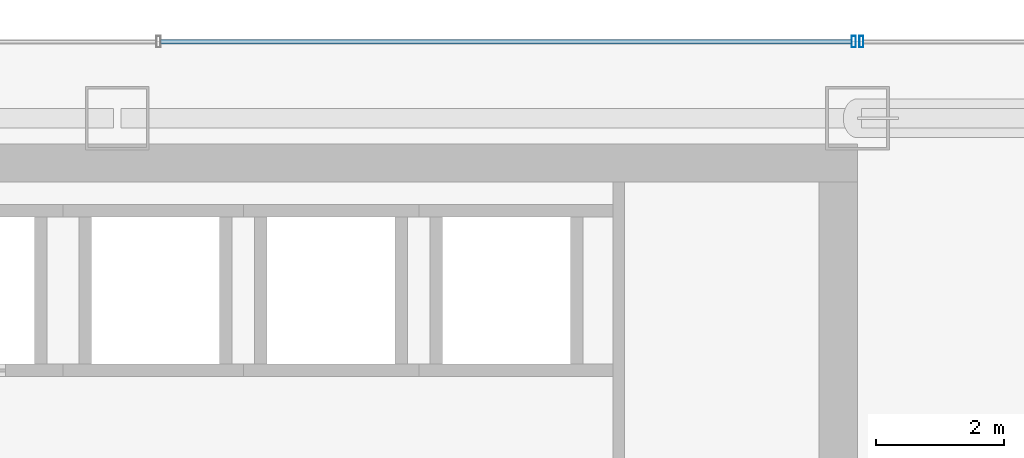
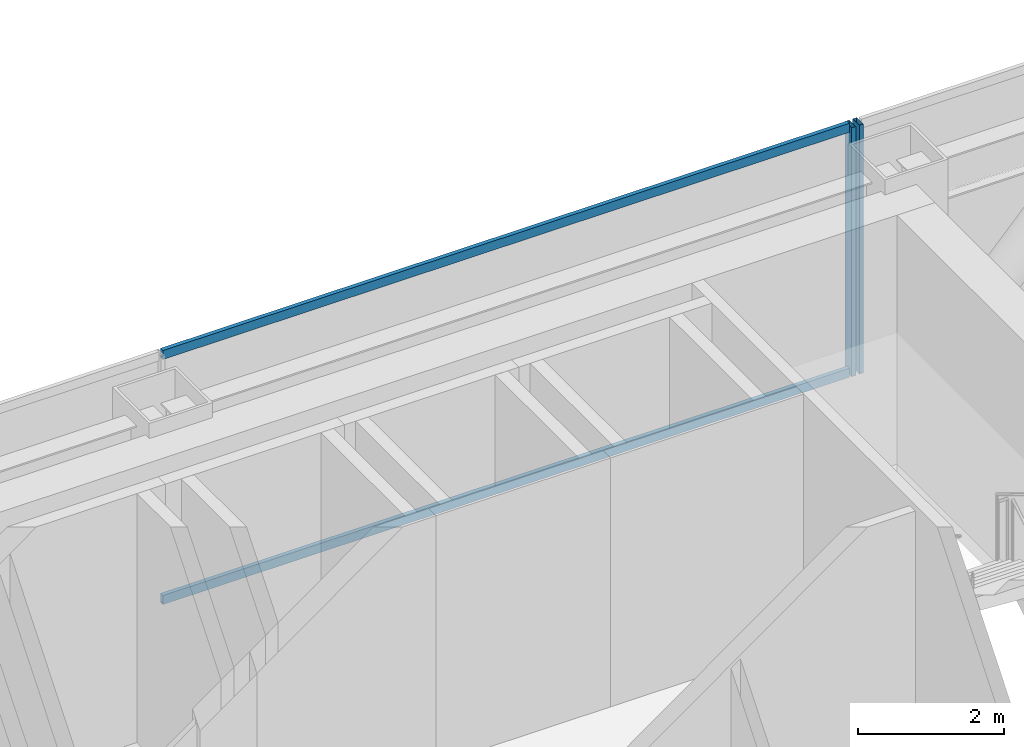
# One storey, part 28 of 37: 4 members, 2 elements without a shape of their own.
"""IFC4 building model written with IfcOpenShell, lengths in metres."""

import ifcopenshell
import ifcopenshell.guid

model = None  # the IFC model being written
_history = None  # IfcOwnerHistory: only IFC2X3 demands one
_inside = {}  # id of a spatial element -> (the spatial element, [elements in it])
_under = {}  # id of a project, library or spatial element -> (it, [spatial elements below it])
_declared = {}  # id of a project -> (the project, [libraries it declares])
_typed = {}  # id of a type object -> (the type object, [elements of that type])
_made_of = {}  # id of a material, layer set ... -> (it, [elements and type objects made of it])


def new_model(schema):
    """Start an empty IFC model of exactly this schema.

    Asked for "IFC4X3", IfcOpenShell would pick the latest addendum, in which some entities
    have other attributes; the version numbers below select the first issue.
    IFC2X3 requires an IfcOwnerHistory on every rooted entity: one is made here for all.
    """
    global model, _history
    if schema == "IFC4X3":
        model = ifcopenshell.file(schema_version=(4, 3, 0, 0))
    else:
        model = ifcopenshell.file(schema=schema)
    _inside.clear()
    _under.clear()
    _declared.clear()
    _typed.clear()
    _made_of.clear()
    _history = None
    if model.schema == "IFC2X3":
        org = make("IfcOrganization", Name="unknown")
        user = make(
            "IfcPersonAndOrganization",
            ThePerson=make("IfcPerson", FamilyName="unknown"),
            TheOrganization=org,
        )
        app = make(
            "IfcApplication",
            ApplicationDeveloper=org,
            Version="unknown",
            ApplicationFullName="unknown",
            ApplicationIdentifier="unknown",
        )
        _history = make(
            "IfcOwnerHistory",
            OwningUser=user,
            OwningApplication=app,
            ChangeAction="ADDED",
            CreationDate=0,
        )
    return model


def make(cls, **values):
    """One entity of the class cls with the attributes given. An attribute that is None is left unset."""
    return model.create_entity(
        cls, **{name: value for name, value in values.items() if value is not None}
    )


def rooted(cls, **values):
    """An entity with a GlobalId (a new one), such as an element, a storey or a relation."""
    return make(cls, GlobalId=ifcopenshell.guid.new(), OwnerHistory=_history, **values)


def si_unit(unit_type, name, prefix=None):
    """IfcSIUnit, for example si_unit("LENGTHUNIT", "METRE", prefix="MILLI")."""
    return make("IfcSIUnit", UnitType=unit_type, Prefix=prefix, Name=name)


def assignment(units):
    """IfcUnitAssignment: the units of a project."""
    return None if units is None else make("IfcUnitAssignment", Units=units)


def point(xyz):
    """IfcCartesianPoint."""
    return None if xyz is None else make("IfcCartesianPoint", Coordinates=xyz)


def direction(xyz):
    """IfcDirection."""
    return None if xyz is None else make("IfcDirection", DirectionRatios=xyz)


def frame(location, z_axis=None, x_axis=None):
    """IfcAxis2Placement3D, a coordinate frame: its origin and axes. An axis left out is left unset."""
    return make(
        "IfcAxis2Placement3D",
        Location=point(location),
        Axis=direction(z_axis),
        RefDirection=direction(x_axis),
    )


def frame_2d(location, x_axis=None):
    """IfcAxis2Placement2D, a coordinate frame in the plane: its origin and x axis."""
    return make(
        "IfcAxis2Placement2D", Location=point(location), RefDirection=direction(x_axis)
    )


def origin():
    """The frame at (0, 0, 0) with its axes left unset."""
    return frame((0.0, 0.0, 0.0))


def origin_2d():
    """The frame at (0, 0) in the plane with its x axis left unset."""
    return frame_2d((0.0, 0.0))


def place(relative_to, where):
    """IfcLocalPlacement: puts the frame where relative to a parent placement (None: the world)."""
    return make(
        "IfcLocalPlacement", PlacementRelTo=relative_to, RelativePlacement=where
    )


def context(
    kind, dimensions, precision=None, world=None, true_north=None, identifier=None
):
    """IfcGeometricRepresentationContext, for example the 3D "Model" context."""
    return make(
        "IfcGeometricRepresentationContext",
        ContextIdentifier=identifier,
        ContextType=kind,
        CoordinateSpaceDimension=dimensions,
        Precision=precision,
        WorldCoordinateSystem=world,
        TrueNorth=true_north,
    )


def subcontext(parent, identifier, kind, view, scale=None):
    """IfcGeometricRepresentationSubContext, for example "Body" below "Model"."""
    return make(
        "IfcGeometricRepresentationSubContext",
        ContextIdentifier=identifier,
        ContextType=kind,
        ParentContext=parent,
        TargetScale=scale,
        TargetView=view,
    )


def project(units=None, contexts=None):
    """IfcProject with its units and contexts."""
    return rooted(
        "IfcProject",
        Name="project",
        RepresentationContexts=contexts,
        UnitsInContext=assignment(units),
    )


def spatial(cls, under=None, at=None, **own):
    """A site, building, storey or space (cls), placed at a placement, below another one or the project."""
    s = rooted(cls, ObjectPlacement=at, **own)
    if under is not None:
        _under.setdefault(under.id(), (under, []))[1].append(s)
    return s


def profile(cls, at=None, kind="AREA", **sizes):
    """A parametric profile (cls). Its sizes go by their IFC names, for example OverallWidth=200.0."""
    return make(cls, ProfileType=kind, Position=at, **sizes)


def hollow_rectangle(**sizes):
    """IfcRectangleHollowProfileDef."""
    return profile("IfcRectangleHollowProfileDef", **sizes)


def extrude(swept, where, along, depth):
    """IfcExtrudedAreaSolid: the profile swept, set in the frame where, extruded along a direction by depth."""
    return make(
        "IfcExtrudedAreaSolid",
        SweptArea=swept,
        Position=where,
        ExtrudedDirection=direction(along),
        Depth=depth,
    )


def shape(context_of_items, identifier, shape_type, items):
    """IfcShapeRepresentation: the items that make up one representation, for example the "Body"."""
    return make(
        "IfcShapeRepresentation",
        ContextOfItems=context_of_items,
        RepresentationIdentifier=identifier,
        RepresentationType=shape_type,
        Items=items,
    )


def material(Name=None, Category=None):
    """IfcMaterial."""
    return make("IfcMaterial", Name=Name, Category=Category)


def material_profile(
    of_material, cross_section, Name=None, Category=None, Priority=None
):
    """IfcMaterialProfile: a cross section and its material."""
    return make(
        "IfcMaterialProfile",
        Name=Name,
        Material=of_material,
        Profile=cross_section,
        Priority=Priority,
        Category=Category,
    )


def profile_set(profiles, Name=None, composite=None):
    """IfcMaterialProfileSet."""
    return make(
        "IfcMaterialProfileSet",
        Name=Name,
        MaterialProfiles=profiles,
        CompositeProfile=composite,
    )


def made_of(thing, what):
    """Note that an element or type object is made of a material, layer set ...; save() writes the relation."""
    if what is not None:
        _made_of.setdefault(what.id(), (what, []))[1].append(thing)
    return thing


def type_object(cls, material=None, **own):
    """A type object (cls), such as IfcWallType, which elements share."""
    return made_of(rooted(cls, **own), material)


def element(
    cls,
    number,
    at=None,
    inside=None,
    cuts=None,
    type_object=None,
    material=None,
    context=None,
    identifier="Body",
    shape_type=None,
    held_by="IfcProductDefinitionShape",
    body=None,
    shapes=None,
    **own,
):
    """One element of the class cls, such as IfcWall. Its Tag is "e" and its number.

    at: its placement. inside: the storey or other place that contains it. cuts: it is an
    opening in that element (IfcRelVoidsElement). A single representation is given by context,
    identifier, shape_type and body (its items); several are given by shapes. held_by: the class
    of the entity that holds the representations. save() writes the other relations.
    """
    e = rooted(cls, Tag="e%d" % number, ObjectPlacement=at, **own)
    if body is not None:
        shapes = [shape(context, identifier, shape_type, body)]
    if shapes is not None:
        e.Representation = make(held_by, Representations=shapes)
    if inside is not None:
        _inside.setdefault(inside.id(), (inside, []))[1].append(e)
    if cuts is not None:
        rooted(
            "IfcRelVoidsElement", RelatingBuildingElement=cuts, RelatedOpeningElement=e
        )
    if type_object is not None:
        _typed.setdefault(type_object.id(), (type_object, []))[1].append(e)
    return made_of(e, material)


def aggregate(whole, parts):
    """IfcRelAggregates: a whole, such as a stair, and the parts it consists of."""
    return rooted("IfcRelAggregates", RelatingObject=whole, RelatedObjects=parts)


def save(model, path):
    """Write the relations noted so far, then the file.

    IfcRelAggregates (storeys below a building ...), IfcRelContainedInSpatialStructure (elements
    in a storey), IfcRelDefinesByType, IfcRelAssociatesMaterial and IfcRelDeclares: one each for
    every whole, place, type object, material and project.
    """
    for whole, parts in _under.values():
        aggregate(whole, parts)
    for where, things in _inside.values():
        rooted(
            "IfcRelContainedInSpatialStructure",
            RelatedElements=things,
            RelatingStructure=where,
        )
    for kind, things in _typed.values():
        rooted("IfcRelDefinesByType", RelatedObjects=things, RelatingType=kind)
    for what, things in _made_of.values():
        rooted("IfcRelAssociatesMaterial", RelatedObjects=things, RelatingMaterial=what)
    for by, libraries in _declared.values():
        rooted("IfcRelDeclares", RelatingContext=by, RelatedDefinitions=libraries)
    model.write(path)


model = new_model("IFC4")

# Units and contexts
model_context = context("Model", 3, precision=1e-05, world=origin(), true_north=direction((0.0, 1.0)))
body_context = subcontext(model_context, "Body", "Model", "MODEL_VIEW")
ifc_project = project(units=[si_unit("LENGTHUNIT", "METRE"), si_unit("AREAUNIT", "SQUARE_METRE"), si_unit("VOLUMEUNIT", "CUBIC_METRE"), si_unit("PLANEANGLEUNIT", "RADIAN"), si_unit("MASSUNIT", "GRAM", prefix="KILO")], contexts=[model_context])

# Site, building, storey
site_placement = place(None, origin())
site = spatial("IfcSite", under=ifc_project, at=site_placement, CompositionType="ELEMENT")
building_placement = place(site_placement, origin())
building = spatial("IfcBuilding", under=site, at=building_placement, Name="Saevonmaru Cultural Tower", CompositionType="ELEMENT")
storey_placement = place(building_placement, frame((0.0, 0.0, 106.0)))
storey = spatial("IfcBuildingStorey", under=building, at=storey_placement, Name="L22", CompositionType="ELEMENT", Elevation=106.0)

# Curtain wall, member
ifc_material = material(Name="Satin Bronze Anodised Aluminium", Category="aluminium")
curtain_wall_type = type_object("IfcCurtainWallType", Name="CW-TYP-A", PredefinedType="NOTDEFINED", material=ifc_material)
curtain_wall_1_placement = place(storey_placement, origin())
curtain_wall_1 = element("IfcCurtainWall", 1, at=curtain_wall_1_placement, inside=storey, type_object=curtain_wall_type, Name="L22 East Braced Bay Spandrel Curtain Wall E10A", PredefinedType="NOTDEFINED")
ifc_material_profile_1 = material_profile(ifc_material, hollow_rectangle(XDim=0.06494140625, YDim=0.179931640625, WallThickness=0.00390625, at=origin_2d()), Name="ALU-MULL-180x65x4")
ifc_profile_set_1 = profile_set([ifc_material_profile_1], Name="Satin Bronze Anodised Aluminium")
member_type_1 = type_object("IfcMemberType", Name="ML-CW-180x65", PredefinedType="MULLION", material=ifc_profile_set_1)
member_1_placement = place(storey_placement, frame((46.4599609375, 56.0, 0.0), z_axis=(0.0, 0.0, 1.0), x_axis=(-1.0, 0.0, 0.0)))
member_1 = element("IfcMember", 2, at=member_1_placement, type_object=member_type_1, Name="CW-TW-L22-E10A mullion 2", PredefinedType="MULLION", context=body_context, shape_type="SweptSolid", body=[
    extrude(hollow_rectangle(XDim=0.06494140625, YDim=0.179931640625, WallThickness=0.00390625, at=origin_2d()), origin(), (0.0, 0.0, 1.0), 4.14990234375),
])
aggregate(curtain_wall_1, [member_1])

# Curtain wall, members
curtain_wall_2_placement = place(storey_placement, origin())
curtain_wall_2 = element("IfcCurtainWall", 3, at=curtain_wall_2_placement, inside=storey, type_object=curtain_wall_type, Name="L22 North Spine Unitised Curtain Wall E10B", PredefinedType="NOTDEFINED")
member_2_placement = place(storey_placement, frame((46.340087890625, 56.0, 0.0), z_axis=(0.0, 0.0, 1.0), x_axis=(-1.0, 0.0, 0.0)))
member_2 = element("IfcMember", 4, at=member_2_placement, type_object=member_type_1, Name="CW-TW-L22-E10B mullion 1", PredefinedType="MULLION", context=body_context, shape_type="SweptSolid", body=[
    extrude(hollow_rectangle(XDim=0.06494140625, YDim=0.179931640625, WallThickness=0.00390625, at=origin_2d()), origin(), (0.0, 0.0, 1.0), 4.14990234375),
])
ifc_material_profile_2 = material_profile(ifc_material, hollow_rectangle(XDim=0.06494140625, YDim=0.14990234375, WallThickness=0.00390625, at=origin_2d()), Name="ALU-TRAN-150x65x4")
ifc_profile_set_2 = profile_set([ifc_material_profile_2], Name="Satin Bronze Anodised Aluminium")
member_type_2 = type_object("IfcMemberType", Name="TR-CW-150x65", PredefinedType="USERDEFINED", material=ifc_profile_set_2)
member_3_placement = place(storey_placement, frame((46.3076171875, 56.0, 0.032470703125), z_axis=(-1.0, 0.0, 0.0), x_axis=(0.0, -1.0, 0.0)))
member_3 = element("IfcMember", 5, at=member_3_placement, type_object=member_type_2, Name="CW-TW-L22-E10B transom 1.1", ObjectType="TRANSOM", PredefinedType="USERDEFINED", context=body_context, shape_type="SweptSolid", body=[
    extrude(hollow_rectangle(XDim=0.06494140625, YDim=0.14990234375, WallThickness=0.00390625, at=origin_2d()), origin(), (0.0, 0.0, 1.0), 10.828369140625),
])
member_4_placement = place(storey_placement, frame((46.3076171875, 56.0, 4.117431640625), z_axis=(-1.0, 0.0, 0.0), x_axis=(0.0, -1.0, 0.0)))
member_4 = element("IfcMember", 6, at=member_4_placement, type_object=member_type_2, Name="CW-TW-L22-E10B transom 1.2", ObjectType="TRANSOM", PredefinedType="USERDEFINED", context=body_context, shape_type="SweptSolid", body=[
    extrude(hollow_rectangle(XDim=0.06494140625, YDim=0.14990234375, WallThickness=0.00390625, at=origin_2d()), origin(), (0.0, 0.0, 1.0), 10.828369140625),
])
aggregate(curtain_wall_2, [member_2, member_3, member_4])

save(model, "model.ifc")
